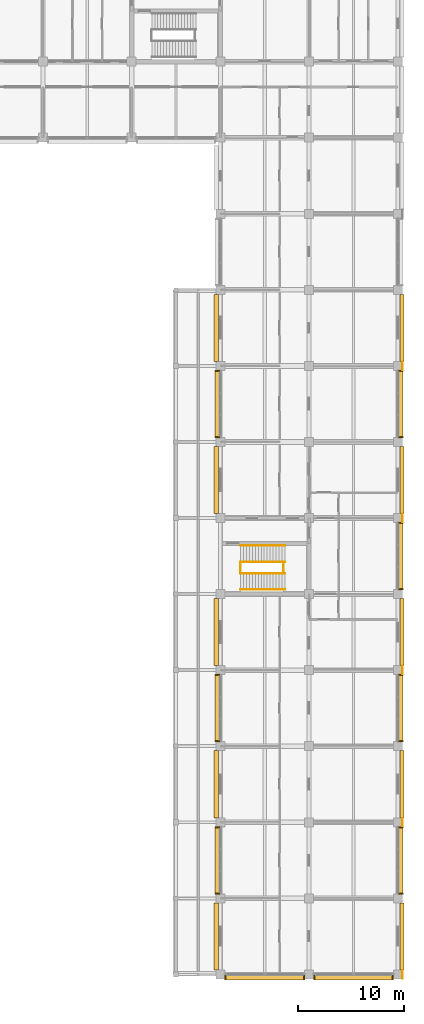
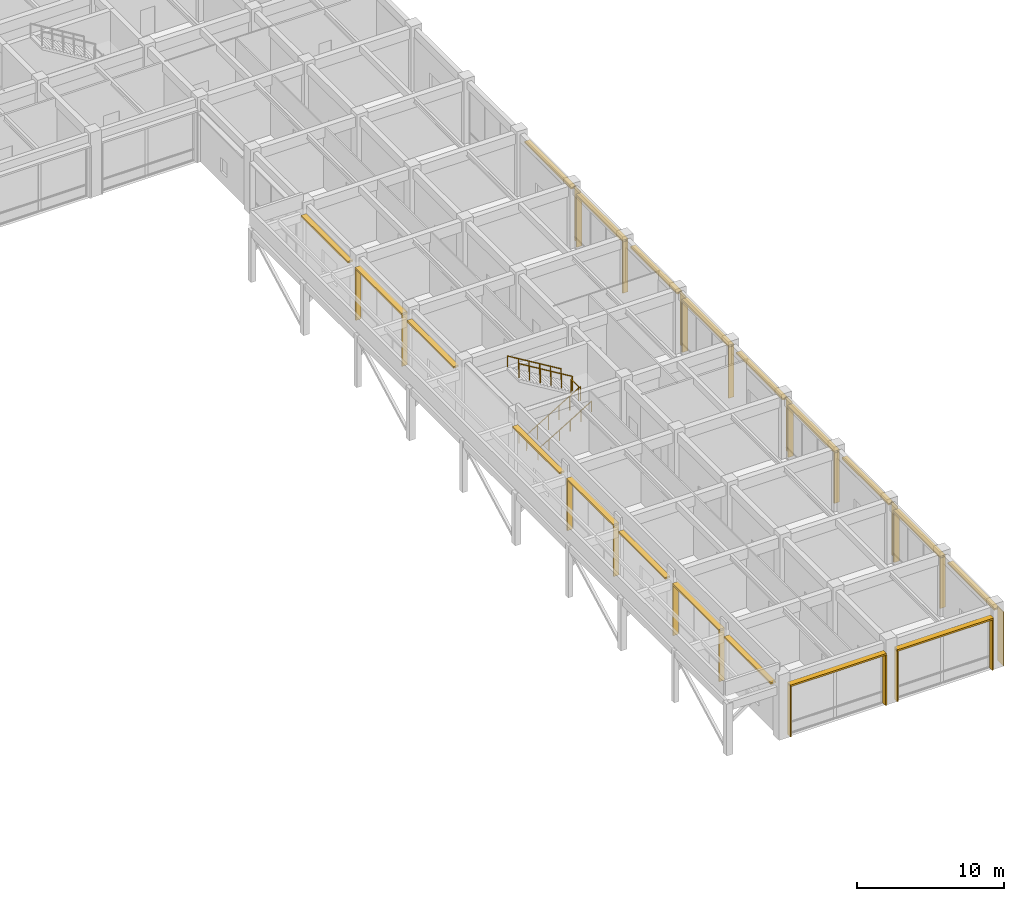
# One storey, part 67 of 68: 37 shading devices, 6 railings, 5 coverings.
"""IFC4 building model written with IfcOpenShell, lengths in metres."""

import ifcopenshell
import ifcopenshell.guid

model = None  # the IFC model being written
_history = None  # IfcOwnerHistory: only IFC2X3 demands one
_inside = {}  # id of a spatial element -> (the spatial element, [elements in it])
_under = {}  # id of a project, library or spatial element -> (it, [spatial elements below it])
_declared = {}  # id of a project -> (the project, [libraries it declares])
_typed = {}  # id of a type object -> (the type object, [elements of that type])
_made_of = {}  # id of a material, layer set ... -> (it, [elements and type objects made of it])


def new_model(schema):
    """Start an empty IFC model of exactly this schema.

    Asked for "IFC4X3", IfcOpenShell would pick the latest addendum, in which some entities
    have other attributes; the version numbers below select the first issue.
    IFC2X3 requires an IfcOwnerHistory on every rooted entity: one is made here for all.
    """
    global model, _history
    if schema == "IFC4X3":
        model = ifcopenshell.file(schema_version=(4, 3, 0, 0))
    else:
        model = ifcopenshell.file(schema=schema)
    _inside.clear()
    _under.clear()
    _declared.clear()
    _typed.clear()
    _made_of.clear()
    _history = None
    if model.schema == "IFC2X3":
        org = make("IfcOrganization", Name="unknown")
        user = make(
            "IfcPersonAndOrganization",
            ThePerson=make("IfcPerson", FamilyName="unknown"),
            TheOrganization=org,
        )
        app = make(
            "IfcApplication",
            ApplicationDeveloper=org,
            Version="unknown",
            ApplicationFullName="unknown",
            ApplicationIdentifier="unknown",
        )
        _history = make(
            "IfcOwnerHistory",
            OwningUser=user,
            OwningApplication=app,
            ChangeAction="ADDED",
            CreationDate=0,
        )
    return model


def make(cls, **values):
    """One entity of the class cls with the attributes given. An attribute that is None is left unset."""
    return model.create_entity(
        cls, **{name: value for name, value in values.items() if value is not None}
    )


def rooted(cls, **values):
    """An entity with a GlobalId (a new one), such as an element, a storey or a relation."""
    return make(cls, GlobalId=ifcopenshell.guid.new(), OwnerHistory=_history, **values)


def si_unit(unit_type, name, prefix=None):
    """IfcSIUnit, for example si_unit("LENGTHUNIT", "METRE", prefix="MILLI")."""
    return make("IfcSIUnit", UnitType=unit_type, Prefix=prefix, Name=name)


def assignment(units):
    """IfcUnitAssignment: the units of a project."""
    return None if units is None else make("IfcUnitAssignment", Units=units)


def point(xyz):
    """IfcCartesianPoint."""
    return None if xyz is None else make("IfcCartesianPoint", Coordinates=xyz)


def direction(xyz):
    """IfcDirection."""
    return None if xyz is None else make("IfcDirection", DirectionRatios=xyz)


def frame(location, z_axis=None, x_axis=None):
    """IfcAxis2Placement3D, a coordinate frame: its origin and axes. An axis left out is left unset."""
    return make(
        "IfcAxis2Placement3D",
        Location=point(location),
        Axis=direction(z_axis),
        RefDirection=direction(x_axis),
    )


def frame_2d(location, x_axis=None):
    """IfcAxis2Placement2D, a coordinate frame in the plane: its origin and x axis."""
    return make(
        "IfcAxis2Placement2D", Location=point(location), RefDirection=direction(x_axis)
    )


def origin():
    """The frame at (0, 0, 0) with its axes left unset."""
    return frame((0.0, 0.0, 0.0))


def origin_2d():
    """The frame at (0, 0) in the plane with its x axis left unset."""
    return frame_2d((0.0, 0.0))


def place(relative_to, where):
    """IfcLocalPlacement: puts the frame where relative to a parent placement (None: the world)."""
    return make(
        "IfcLocalPlacement", PlacementRelTo=relative_to, RelativePlacement=where
    )


def context(
    kind, dimensions, precision=None, world=None, true_north=None, identifier=None
):
    """IfcGeometricRepresentationContext, for example the 3D "Model" context."""
    return make(
        "IfcGeometricRepresentationContext",
        ContextIdentifier=identifier,
        ContextType=kind,
        CoordinateSpaceDimension=dimensions,
        Precision=precision,
        WorldCoordinateSystem=world,
        TrueNorth=true_north,
    )


def subcontext(parent, identifier, kind, view, scale=None):
    """IfcGeometricRepresentationSubContext, for example "Body" below "Model"."""
    return make(
        "IfcGeometricRepresentationSubContext",
        ContextIdentifier=identifier,
        ContextType=kind,
        ParentContext=parent,
        TargetScale=scale,
        TargetView=view,
    )


def project(units=None, contexts=None):
    """IfcProject with its units and contexts."""
    return rooted(
        "IfcProject",
        Name="project",
        RepresentationContexts=contexts,
        UnitsInContext=assignment(units),
    )


def spatial(cls, under=None, at=None, **own):
    """A site, building, storey or space (cls), placed at a placement, below another one or the project."""
    s = rooted(cls, ObjectPlacement=at, **own)
    if under is not None:
        _under.setdefault(under.id(), (under, []))[1].append(s)
    return s


def profile(cls, at=None, kind="AREA", **sizes):
    """A parametric profile (cls). Its sizes go by their IFC names, for example OverallWidth=200.0."""
    return make(cls, ProfileType=kind, Position=at, **sizes)


def rectangle(**sizes):
    """IfcRectangleProfileDef."""
    return profile("IfcRectangleProfileDef", **sizes)


def circle(**sizes):
    """IfcCircleProfileDef."""
    return profile("IfcCircleProfileDef", **sizes)


def extrude(swept, where, along, depth):
    """IfcExtrudedAreaSolid: the profile swept, set in the frame where, extruded along a direction by depth."""
    return make(
        "IfcExtrudedAreaSolid",
        SweptArea=swept,
        Position=where,
        ExtrudedDirection=direction(along),
        Depth=depth,
    )


def shape(context_of_items, identifier, shape_type, items):
    """IfcShapeRepresentation: the items that make up one representation, for example the "Body"."""
    return make(
        "IfcShapeRepresentation",
        ContextOfItems=context_of_items,
        RepresentationIdentifier=identifier,
        RepresentationType=shape_type,
        Items=items,
    )


def material(Name=None, Category=None):
    """IfcMaterial."""
    return make("IfcMaterial", Name=Name, Category=Category)


def layer(
    of_material, thickness, ventilated=None, Name=None, Category=None, Priority=None
):
    """IfcMaterialLayer: one layer of a wall or slab, of a material (None: an air gap)."""
    return make(
        "IfcMaterialLayer",
        Material=of_material,
        LayerThickness=thickness,
        IsVentilated=ventilated,
        Name=Name,
        Category=Category,
        Priority=Priority,
    )


def layer_set(layers, Name=None):
    """IfcMaterialLayerSet."""
    return make("IfcMaterialLayerSet", MaterialLayers=layers, LayerSetName=Name)


def made_of(thing, what):
    """Note that an element or type object is made of a material, layer set ...; save() writes the relation."""
    if what is not None:
        _made_of.setdefault(what.id(), (what, []))[1].append(thing)
    return thing


def type_object(cls, material=None, **own):
    """A type object (cls), such as IfcWallType, which elements share."""
    return made_of(rooted(cls, **own), material)


def element(
    cls,
    number,
    at=None,
    inside=None,
    cuts=None,
    type_object=None,
    material=None,
    context=None,
    identifier="Body",
    shape_type=None,
    held_by="IfcProductDefinitionShape",
    body=None,
    shapes=None,
    **own,
):
    """One element of the class cls, such as IfcWall. Its Tag is "e" and its number.

    at: its placement. inside: the storey or other place that contains it. cuts: it is an
    opening in that element (IfcRelVoidsElement). A single representation is given by context,
    identifier, shape_type and body (its items); several are given by shapes. held_by: the class
    of the entity that holds the representations. save() writes the other relations.
    """
    e = rooted(cls, Tag="e%d" % number, ObjectPlacement=at, **own)
    if body is not None:
        shapes = [shape(context, identifier, shape_type, body)]
    if shapes is not None:
        e.Representation = make(held_by, Representations=shapes)
    if inside is not None:
        _inside.setdefault(inside.id(), (inside, []))[1].append(e)
    if cuts is not None:
        rooted(
            "IfcRelVoidsElement", RelatingBuildingElement=cuts, RelatedOpeningElement=e
        )
    if type_object is not None:
        _typed.setdefault(type_object.id(), (type_object, []))[1].append(e)
    return made_of(e, material)


def aggregate(whole, parts):
    """IfcRelAggregates: a whole, such as a stair, and the parts it consists of."""
    return rooted("IfcRelAggregates", RelatingObject=whole, RelatedObjects=parts)


def save(model, path):
    """Write the relations noted so far, then the file.

    IfcRelAggregates (storeys below a building ...), IfcRelContainedInSpatialStructure (elements
    in a storey), IfcRelDefinesByType, IfcRelAssociatesMaterial and IfcRelDeclares: one each for
    every whole, place, type object, material and project.
    """
    for whole, parts in _under.values():
        aggregate(whole, parts)
    for where, things in _inside.values():
        rooted(
            "IfcRelContainedInSpatialStructure",
            RelatedElements=things,
            RelatingStructure=where,
        )
    for kind, things in _typed.values():
        rooted("IfcRelDefinesByType", RelatedObjects=things, RelatingType=kind)
    for what, things in _made_of.values():
        rooted("IfcRelAssociatesMaterial", RelatedObjects=things, RelatingMaterial=what)
    for by, libraries in _declared.values():
        rooted("IfcRelDeclares", RelatingContext=by, RelatedDefinitions=libraries)
    model.write(path)


model = new_model("IFC4")

# Units and contexts
model_context = context("Model", 3, precision=1e-05, world=origin(), true_north=direction((0.0, 1.0)))
body_context = subcontext(model_context, "Body", "Model", "MODEL_VIEW")
ifc_project = project(units=[si_unit("LENGTHUNIT", "METRE"), si_unit("AREAUNIT", "SQUARE_METRE"), si_unit("VOLUMEUNIT", "CUBIC_METRE"), si_unit("PLANEANGLEUNIT", "RADIAN"), si_unit("MASSUNIT", "GRAM", prefix="KILO")], contexts=[model_context])

# Site, building, storey
site_placement = place(None, origin())
site = spatial("IfcSite", under=ifc_project, at=site_placement, CompositionType="ELEMENT")
building_placement = place(site_placement, origin())
building = spatial("IfcBuilding", under=site, at=building_placement, Name="Chengyuan Square Courthouse", CompositionType="ELEMENT")
storey_placement = place(building_placement, frame((0.0, 0.0, 5.39990234375)))
storey = spatial("IfcBuildingStorey", under=building, at=storey_placement, Name="L02", CompositionType="ELEMENT", Elevation=5.39990234375)

# Coverings
ifc_material_1 = material(Name="Flamed Liaoning Granite Column Cladding", Category="masonry")
ifc_layer = layer(ifc_material_1, 0.050048828125)
ifc_layer_set = layer_set([ifc_layer], Name="Flamed Liaoning Granite Column Cladding")
covering_type = type_object("IfcCoveringType", Name="CLD-01", PredefinedType="CLADDING", material=ifc_layer_set)
for number, where, z_axis, x_axis, name in (
    (1, (168.445068359375, 0.0, 0.0), (0.0, 0.0, 1.0), (1.0, 0.0, 0.0), "Granite Column Cladding CLD-L02-19"),
    (2, (168.445068359375, 14.39990234375, 0.0), (0.0, 0.0, 1.0), (1.0, 0.0, 0.0), "Granite Column Cladding CLD-L02-20"),
    (3, (168.445068359375, 28.800048828125, 0.0), (0.0, 0.0, 1.0), (1.0, 0.0, 0.0), "Granite Column Cladding CLD-L02-21"),
    (4, (168.445068359375, 43.199951171875, 0.0), (0.0, 0.0, 1.0), (1.0, 0.0, 0.0), "Granite Column Cladding CLD-L02-22"),
    (5, (168.445068359375, 57.60009765625, 0.0), (0.0, 0.0, 1.0), (1.0, 0.0, 0.0), "Granite Column Cladding CLD-L02-23"),
):
    element("IfcCovering", number, at=place(storey_placement, frame(where, z_axis=z_axis, x_axis=x_axis)), inside=storey, type_object=covering_type, Name=name, PredefinedType="CLADDING", context=body_context, shape_type="SweptSolid", body=[
        extrude(rectangle(XDim=0.050048828125, YDim=0.800048828125, at=origin_2d()), origin(), (0.0, 0.0, 1.0), 4.5),
    ])

# Railings
ifc_material_2 = material(Name="Tempered Glass and Timber Top-Rail Balustrade", Category="wood")
railing_type_1 = type_object("IfcRailingType", Name="RL-02", PredefinedType="BALUSTRADE", material=ifc_material_2)
for number, where, name in (
    (6, (153.090087890625, 38.0, 0.0), "Stair Floor Slot Guard ST-8 L02"),
    (7, (157.18994140625, 38.0, 2.7001953125), "Stair Landing Guard ST-8-L02"),
):
    element("IfcRailing", number, at=place(storey_placement, frame(where)), inside=storey, type_object=railing_type_1, Name=name, PredefinedType="BALUSTRADE", context=body_context, shape_type="SweptSolid", body=[
        extrude(circle(Radius=0.02392578125, at=origin_2d()), frame((0.0, 0.0, 1.17578125), z_axis=(0.0, 1.0, 0.0), x_axis=(-1.0, 0.0, 0.0)), (0.0, 0.0, 1.0), 1.0),
        extrude(circle(Radius=0.02099609375, at=origin_2d()), origin(), (0.0, 0.0, 1.0), 1.15185546875),
        extrude(circle(Radius=0.02099609375, at=origin_2d()), frame((0.0, 1.0, 0.0)), (0.0, 0.0, 1.0), 1.15185546875),
    ])
railing_1_placement = place(storey_placement, frame((153.110107421875, 37.949951171875, 0.1689453125)))
element("IfcRailing", 8, at=railing_1_placement, inside=storey, type_object=railing_type_1, Name="Stair Flight 1 Guard ST-8-L02", PredefinedType="BALUSTRADE", context=body_context, shape_type="SweptSolid", body=[
    extrude(circle(Radius=0.02392578125, at=origin_2d()), frame((0.0, 0.0, 1.17578125), z_axis=(0.856476492594, 0.0, 0.516186030065), x_axis=(0.0, 1.0, 0.0)), (0.0, 0.0, 1.0), 4.90380859375),
    extrude(circle(Radius=0.02099609375, at=origin_2d()), origin(), (0.0, 0.0, 1.0), 1.15185546875),
    extrude(circle(Radius=0.02099609375, at=origin_2d()), frame((0.840087890625, 0.0, 0.50634765625)), (0.0, 0.0, 1.0), 1.15185546875),
    extrude(circle(Radius=0.02099609375, at=origin_2d()), frame((1.679931640625, 0.0, 1.012451171875)), (0.0, 0.0, 1.0), 1.15185546875),
    extrude(circle(Radius=0.02099609375, at=origin_2d()), frame((2.52001953125, 0.0, 1.518798828125)), (0.0, 0.0, 1.0), 1.15185546875),
    extrude(circle(Radius=0.02099609375, at=origin_2d()), frame((3.35986328125, 0.0, 2.02490234375)), (0.0, 0.0, 1.0), 1.15185546875),
    extrude(circle(Radius=0.02099609375, at=origin_2d()), frame((4.199951171875, 0.0, 2.53125)), (0.0, 0.0, 1.0), 1.15185546875),
])
railing_2_placement = place(storey_placement, frame((157.31005859375, 39.050048828125, 2.868896484375)))
element("IfcRailing", 9, at=railing_2_placement, inside=storey, type_object=railing_type_1, Name="Stair Flight 2 Guard ST-8-L02", PredefinedType="BALUSTRADE", context=body_context, shape_type="SweptSolid", body=[
    extrude(circle(Radius=0.02392578125, at=origin_2d()), frame((0.0, 0.0, 1.17578125), z_axis=(-0.856476492594, 0.0, 0.516186030065), x_axis=(0.0, -1.0, 0.0)), (0.0, 0.0, 1.0), 4.90380859375),
    extrude(circle(Radius=0.02099609375, at=origin_2d()), origin(), (0.0, 0.0, 1.0), 1.15185546875),
    extrude(circle(Radius=0.02099609375, at=origin_2d()), frame((-0.840087890625, 0.0, 0.50634765625)), (0.0, 0.0, 1.0), 1.15185546875),
    extrude(circle(Radius=0.02099609375, at=origin_2d()), frame((-1.679931640625, 0.0, 1.012451171875)), (0.0, 0.0, 1.0), 1.15185546875),
    extrude(circle(Radius=0.02099609375, at=origin_2d()), frame((-2.52001953125, 0.0, 1.518798828125)), (0.0, 0.0, 1.0), 1.15185546875),
    extrude(circle(Radius=0.02099609375, at=origin_2d()), frame((-3.35986328125, 0.0, 2.02490234375)), (0.0, 0.0, 1.0), 1.15185546875),
    extrude(circle(Radius=0.02099609375, at=origin_2d()), frame((-4.199951171875, 0.0, 2.53125)), (0.0, 0.0, 1.0), 1.15185546875),
])
ifc_material_3 = material(Name="Stainless Steel S30408 Stair Handrail", Category="steel")
railing_type_2 = type_object("IfcRailingType", Name="RL-04", PredefinedType="HANDRAIL", material=ifc_material_3)
railing_3_placement = place(storey_placement, frame((153.110107421875, 36.419921875, 0.1689453125)))
element("IfcRailing", 10, at=railing_3_placement, inside=storey, type_object=railing_type_2, Name="Stair Flight 1 Handrail ST-8-L02", PredefinedType="HANDRAIL", context=body_context, shape_type="SweptSolid", body=[
    extrude(circle(Radius=0.02392578125, at=origin_2d()), frame((0.0, 0.0, 0.8759765625), z_axis=(0.856476492594, 0.0, 0.516186030065), x_axis=(0.0, 1.0, 0.0)), (0.0, 0.0, 1.0), 4.90380859375),
    extrude(circle(Radius=0.02099609375, at=origin_2d()), origin(), (0.0, 0.0, 1.0), 0.851806640625),
    extrude(circle(Radius=0.02099609375, at=origin_2d()), frame((0.840087890625, 0.0, 0.50634765625)), (0.0, 0.0, 1.0), 0.851806640625),
    extrude(circle(Radius=0.02099609375, at=origin_2d()), frame((1.679931640625, 0.0, 1.012451171875)), (0.0, 0.0, 1.0), 0.851806640625),
    extrude(circle(Radius=0.02099609375, at=origin_2d()), frame((2.52001953125, 0.0, 1.518798828125)), (0.0, 0.0, 1.0), 0.851806640625),
    extrude(circle(Radius=0.02099609375, at=origin_2d()), frame((3.35986328125, 0.0, 2.02490234375)), (0.0, 0.0, 1.0), 0.851806640625),
    extrude(circle(Radius=0.02099609375, at=origin_2d()), frame((4.199951171875, 0.0, 2.53125)), (0.0, 0.0, 1.0), 0.851806640625),
])
railing_4_placement = place(storey_placement, frame((157.31005859375, 40.580078125, 2.868896484375)))
element("IfcRailing", 11, at=railing_4_placement, inside=storey, type_object=railing_type_2, Name="Stair Flight 2 Handrail ST-8-L02", PredefinedType="HANDRAIL", context=body_context, shape_type="SweptSolid", body=[
    extrude(circle(Radius=0.02392578125, at=origin_2d()), frame((0.0, 0.0, 0.8759765625), z_axis=(-0.856476492594, 0.0, 0.516186030065), x_axis=(0.0, -1.0, 0.0)), (0.0, 0.0, 1.0), 4.90380859375),
    extrude(circle(Radius=0.02099609375, at=origin_2d()), origin(), (0.0, 0.0, 1.0), 0.851806640625),
    extrude(circle(Radius=0.02099609375, at=origin_2d()), frame((-0.840087890625, 0.0, 0.50634765625)), (0.0, 0.0, 1.0), 0.851806640625),
    extrude(circle(Radius=0.02099609375, at=origin_2d()), frame((-1.679931640625, 0.0, 1.012451171875)), (0.0, 0.0, 1.0), 0.851806640625),
    extrude(circle(Radius=0.02099609375, at=origin_2d()), frame((-2.52001953125, 0.0, 1.518798828125)), (0.0, 0.0, 1.0), 0.851806640625),
    extrude(circle(Radius=0.02099609375, at=origin_2d()), frame((-3.35986328125, 0.0, 2.02490234375)), (0.0, 0.0, 1.0), 0.851806640625),
    extrude(circle(Radius=0.02099609375, at=origin_2d()), frame((-4.199951171875, 0.0, 2.53125)), (0.0, 0.0, 1.0), 0.851806640625),
])

# Shading devices
ifc_material_4 = material(Name="Glulam TCt28 Solar Shading Fin", Category="wood")
shading_device_type_1 = type_object("IfcShadingDeviceType", Name="SHD-01", PredefinedType="JALOUSIE", material=ifc_material_4)
for number, where, z_axis, x_axis, name in (
    (12, (151.6650390625, -0.31201171875, 0.0400390625), (0.0, 0.0, 1.0), (0.0, 1.0, 0.0), "Glulam Solar Fin SHD-L02-0242"),
    (13, (159.135009765625, -0.31201171875, 0.0400390625), (0.0, 0.0, 1.0), (0.0, 1.0, 0.0), "Glulam Solar Fin SHD-L02-0243"),
    (14, (150.91796875, 7.655029296875, 0.0400390625), (0.0, 0.0, 1.0), (1.0, 0.0, 0.0), "Glulam Solar Fin SHD-L02-0246"),
    (15, (150.91796875, 13.945068359375, 0.0400390625), (0.0, 0.0, 1.0), (1.0, 0.0, 0.0), "Glulam Solar Fin SHD-L02-0247"),
    (16, (150.91796875, 22.054931640625, 0.0400390625), (0.0, 0.0, 1.0), (1.0, 0.0, 0.0), "Glulam Solar Fin SHD-L02-0250"),
    (17, (150.91796875, 28.344970703125, 0.0400390625), (0.0, 0.0, 1.0), (1.0, 0.0, 0.0), "Glulam Solar Fin SHD-L02-0251"),
):
    element("IfcShadingDevice", number, at=place(storey_placement, frame(where, z_axis=z_axis, x_axis=x_axis)), inside=storey, type_object=shading_device_type_1, Name=name, PredefinedType="JALOUSIE", context=body_context, shape_type="SweptSolid", body=[
        extrude(rectangle(XDim=0.419921875, YDim=0.094970703125, at=origin_2d()), origin(), (0.0, 0.0, 1.0), 4.18994140625),
    ])
for number, where, z_axis, x_axis, name in (
    (18, (150.91796875, 50.85498046875, 0.0400390625), (0.0, 0.0, 1.0), (1.0, 0.0, 0.0), "Glulam Solar Fin SHD-L02-0255"),
    (19, (150.91796875, 57.14501953125, 0.0400390625), (0.0, 0.0, 1.0), (1.0, 0.0, 0.0), "Glulam Solar Fin SHD-L02-0256"),
):
    element("IfcShadingDevice", number, at=place(storey_placement, frame(where, z_axis=z_axis, x_axis=x_axis)), inside=storey, type_object=shading_device_type_1, Name=name, PredefinedType="JALOUSIE", context=body_context, shape_type="SweptSolid", body=[
        extrude(rectangle(XDim=0.419921875, YDim=0.094970703125, at=origin_2d()), origin(), (0.0, 0.0, 1.0), 4.260009765625),
    ])
for number, where, z_axis, x_axis, name in (
    (20, (160.06494140625, -0.31201171875, 0.0400390625), (0.0, 0.0, 1.0), (0.0, 1.0, 0.0), "Glulam Solar Fin SHD-L02-0263"),
    (21, (167.534912109375, -0.31201171875, 0.0400390625), (0.0, 0.0, 1.0), (0.0, 1.0, 0.0), "Glulam Solar Fin SHD-L02-0264"),
    (22, (168.281982421875, 7.655029296875, 0.0400390625), (0.0, 0.0, 1.0), (1.0, 0.0, 0.0), "Glulam Solar Fin SHD-L02-0267"),
    (23, (168.281982421875, 13.945068359375, 0.0400390625), (0.0, 0.0, 1.0), (1.0, 0.0, 0.0), "Glulam Solar Fin SHD-L02-0268"),
    (24, (168.281982421875, 22.054931640625, 0.0400390625), (0.0, 0.0, 1.0), (1.0, 0.0, 0.0), "Glulam Solar Fin SHD-L02-0271"),
    (25, (168.281982421875, 28.344970703125, 0.0400390625), (0.0, 0.0, 1.0), (1.0, 0.0, 0.0), "Glulam Solar Fin SHD-L02-0272"),
):
    element("IfcShadingDevice", number, at=place(storey_placement, frame(where, z_axis=z_axis, x_axis=x_axis)), inside=storey, type_object=shading_device_type_1, Name=name, PredefinedType="JALOUSIE", context=body_context, shape_type="SweptSolid", body=[
        extrude(rectangle(XDim=0.419921875, YDim=0.094970703125, at=origin_2d()), origin(), (0.0, 0.0, 1.0), 4.18994140625),
    ])
for number, where, z_axis, x_axis, name in (
    (26, (168.281982421875, 36.455078125, 0.0400390625), (0.0, 0.0, 1.0), (1.0, 0.0, 0.0), "Glulam Solar Fin SHD-L02-0275"),
    (27, (168.281982421875, 42.7451171875, 0.0400390625), (0.0, 0.0, 1.0), (1.0, 0.0, 0.0), "Glulam Solar Fin SHD-L02-0276"),
    (28, (168.281982421875, 50.85498046875, 0.0400390625), (0.0, 0.0, 1.0), (1.0, 0.0, 0.0), "Glulam Solar Fin SHD-L02-0279"),
    (29, (168.281982421875, 57.14501953125, 0.0400390625), (0.0, 0.0, 1.0), (1.0, 0.0, 0.0), "Glulam Solar Fin SHD-L02-0280"),
):
    element("IfcShadingDevice", number, at=place(storey_placement, frame(where, z_axis=z_axis, x_axis=x_axis)), inside=storey, type_object=shading_device_type_1, Name=name, PredefinedType="JALOUSIE", context=body_context, shape_type="SweptSolid", body=[
        extrude(rectangle(XDim=0.419921875, YDim=0.094970703125, at=origin_2d()), origin(), (0.0, 0.0, 1.0), 4.260009765625),
    ])
ifc_material_5 = material(Name="Glulam TCt28 Sunshade Louvre", Category="wood")
shading_device_type_2 = type_object("IfcShadingDeviceType", Name="SHD-02", PredefinedType="AWNING", material=ifc_material_5)
shading_device_1_placement = place(storey_placement, frame((155.39990234375, -0.31201171875, 4.22998046875), z_axis=(0.0, 0.0, 1.0), x_axis=(1.0, 0.0, 0.0)))
element("IfcShadingDevice", 30, at=shading_device_1_placement, inside=storey, type_object=shading_device_type_2, Name="Glulam Sunshade Louvre SHD-L02-0244", PredefinedType="AWNING", context=body_context, shape_type="SweptSolid", body=[
    extrude(rectangle(XDim=7.550048828125, YDim=0.43994140625, at=origin_2d()), origin(), (0.0, 0.0, 1.0), 0.139892578125),
])
for number, where, z_axis, x_axis, name in (
    (31, (150.91796875, 10.800048828125, 4.22998046875), (0.0, 0.0, 1.0), (0.0, 1.0, 0.0), "Glulam Sunshade Louvre SHD-L02-0248"),
    (32, (150.91796875, 25.199951171875, 4.22998046875), (0.0, 0.0, 1.0), (0.0, 1.0, 0.0), "Glulam Sunshade Louvre SHD-L02-0252"),
    (33, (150.91796875, 54.0, 4.30029296875), (0.0, 0.0, 1.0), (0.0, 1.0, 0.0), "Glulam Sunshade Louvre SHD-L02-0257"),
):
    element("IfcShadingDevice", number, at=place(storey_placement, frame(where, z_axis=z_axis, x_axis=x_axis)), inside=storey, type_object=shading_device_type_2, Name=name, PredefinedType="AWNING", context=body_context, shape_type="SweptSolid", body=[
        extrude(rectangle(XDim=6.35009765625, YDim=0.43994140625, at=origin_2d()), origin(), (0.0, 0.0, 1.0), 0.139892578125),
    ])
shading_device_2_placement = place(storey_placement, frame((163.800048828125, -0.31201171875, 4.22998046875), z_axis=(0.0, 0.0, 1.0), x_axis=(1.0, 0.0, 0.0)))
element("IfcShadingDevice", 34, at=shading_device_2_placement, inside=storey, type_object=shading_device_type_2, Name="Glulam Sunshade Louvre SHD-L02-0265", PredefinedType="AWNING", context=body_context, shape_type="SweptSolid", body=[
    extrude(rectangle(XDim=7.550048828125, YDim=0.43994140625, at=origin_2d()), origin(), (0.0, 0.0, 1.0), 0.139892578125),
])
for number, where, z_axis, x_axis, name in (
    (35, (168.281982421875, 10.800048828125, 4.22998046875), (0.0, 0.0, 1.0), (0.0, 1.0, 0.0), "Glulam Sunshade Louvre SHD-L02-0269"),
    (36, (168.281982421875, 25.199951171875, 4.22998046875), (0.0, 0.0, 1.0), (0.0, 1.0, 0.0), "Glulam Sunshade Louvre SHD-L02-0273"),
    (37, (168.281982421875, 39.60009765625, 4.30029296875), (0.0, 0.0, 1.0), (0.0, 1.0, 0.0), "Glulam Sunshade Louvre SHD-L02-0277"),
    (38, (168.281982421875, 54.0, 4.30029296875), (0.0, 0.0, 1.0), (0.0, 1.0, 0.0), "Glulam Sunshade Louvre SHD-L02-0281"),
):
    element("IfcShadingDevice", number, at=place(storey_placement, frame(where, z_axis=z_axis, x_axis=x_axis)), inside=storey, type_object=shading_device_type_2, Name=name, PredefinedType="AWNING", context=body_context, shape_type="SweptSolid", body=[
        extrude(rectangle(XDim=6.35009765625, YDim=0.43994140625, at=origin_2d()), origin(), (0.0, 0.0, 1.0), 0.139892578125),
    ])
ifc_material_6 = material(Name="Glulam TCt28 Facade Sunshade", Category="wood")
shading_device_type_3 = type_object("IfcShadingDeviceType", Name="SHD-03", PredefinedType="AWNING", material=ifc_material_6)
for number, where, z_axis, x_axis, name in (
    (39, (150.818115234375, 3.60009765625, 4.2099609375), (0.0, 0.0, 1.0), (0.0, 1.0, 0.0), "Glulam Facade Sunshade SHD-L02-0245"),
    (40, (150.818115234375, 18.0, 4.2099609375), (0.0, 0.0, 1.0), (0.0, 1.0, 0.0), "Glulam Facade Sunshade SHD-L02-0249"),
    (41, (150.818115234375, 32.39990234375, 4.2099609375), (0.0, 0.0, 1.0), (0.0, 1.0, 0.0), "Glulam Facade Sunshade SHD-L02-0253"),
    (42, (150.818115234375, 46.800048828125, 4.2802734375), (0.0, 0.0, 1.0), (0.0, 1.0, 0.0), "Glulam Facade Sunshade SHD-L02-0254"),
    (43, (150.818115234375, 61.199951171875, 4.2802734375), (0.0, 0.0, 1.0), (0.0, 1.0, 0.0), "Glulam Facade Sunshade SHD-L02-0258"),
    (44, (168.382080078125, 3.60009765625, 4.2099609375), (0.0, 0.0, 1.0), (0.0, 1.0, 0.0), "Glulam Facade Sunshade SHD-L02-0266"),
    (45, (168.382080078125, 18.0, 4.2099609375), (0.0, 0.0, 1.0), (0.0, 1.0, 0.0), "Glulam Facade Sunshade SHD-L02-0270"),
    (46, (168.382080078125, 32.39990234375, 4.2099609375), (0.0, 0.0, 1.0), (0.0, 1.0, 0.0), "Glulam Facade Sunshade SHD-L02-0274"),
    (47, (168.382080078125, 46.800048828125, 4.2802734375), (0.0, 0.0, 1.0), (0.0, 1.0, 0.0), "Glulam Facade Sunshade SHD-L02-0278"),
    (48, (168.382080078125, 61.199951171875, 4.2802734375), (0.0, 0.0, 1.0), (0.0, 1.0, 0.0), "Glulam Facade Sunshade SHD-L02-0282"),
):
    element("IfcShadingDevice", number, at=place(storey_placement, frame(where, z_axis=z_axis, x_axis=x_axis)), inside=storey, type_object=shading_device_type_3, Name=name, PredefinedType="AWNING", context=body_context, shape_type="SweptSolid", body=[
        extrude(rectangle(XDim=6.360107421875, YDim=0.39990234375, at=origin_2d()), origin(), (0.0, 0.0, 1.0), 0.139892578125),
    ])

save(model, "model.ifc")
